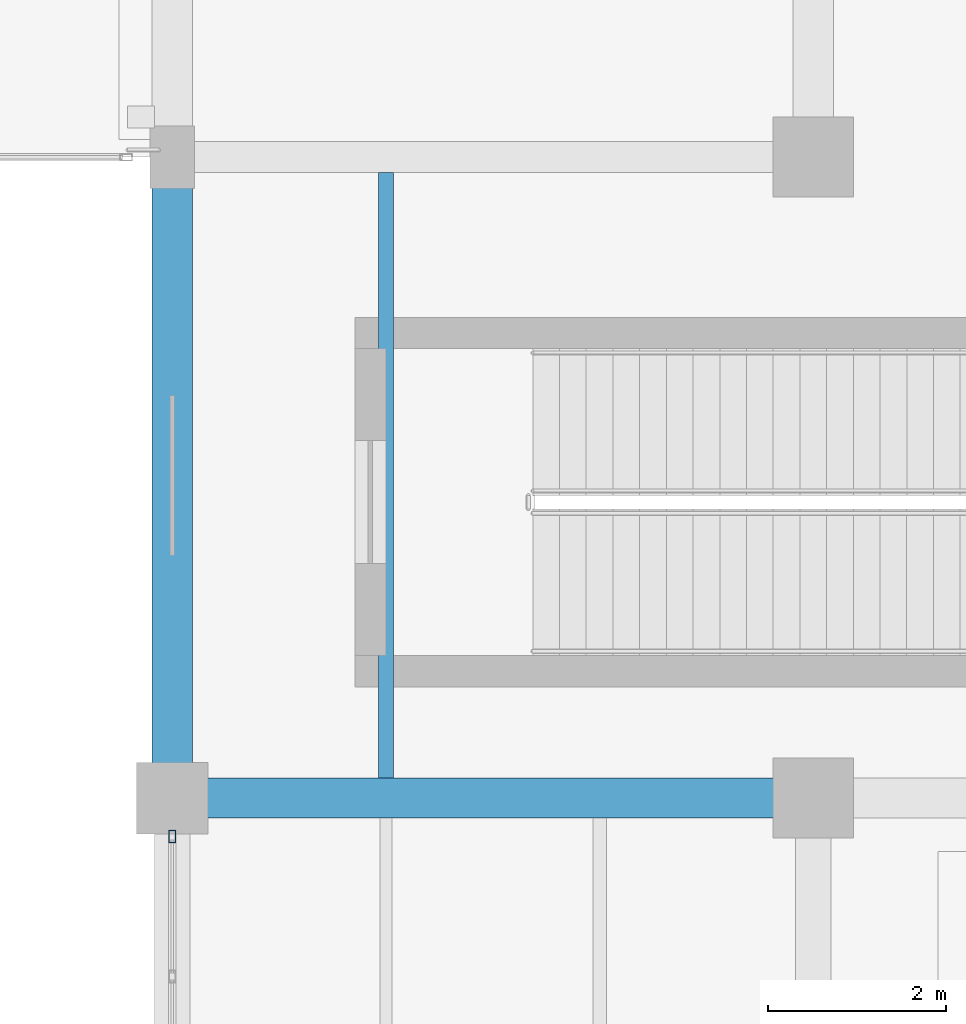
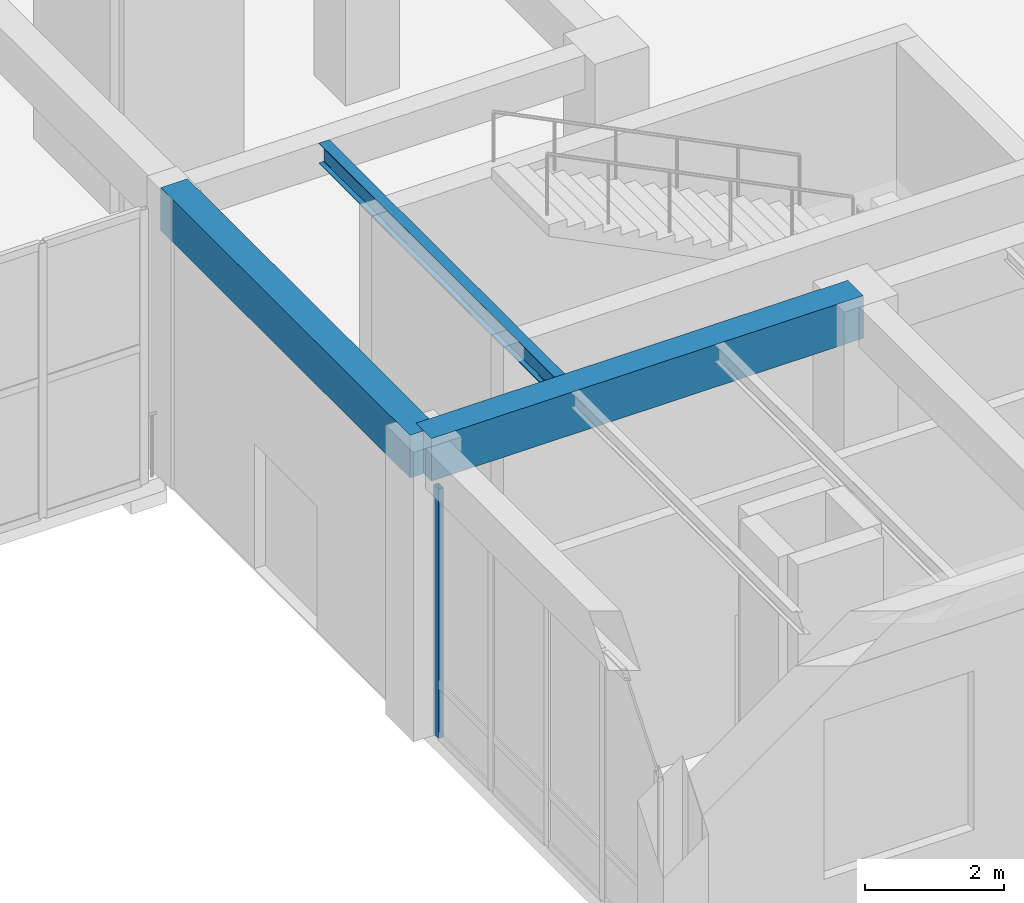
# One storey, part 46 of 169: 3 beams, 1 member, 1 element without a shape of its own.
"""IFC4 building model written with IfcOpenShell, lengths in metres."""

from ifc_helpers import new_model, si_unit, direction, frame, origin, origin_2d, place, context, subcontext, project, spatial, rectangle, hollow_rectangle, i_section, extrude, material, layer, layer_set, material_profile, profile_set, type_object, element, aggregate, save


model = new_model("IFC4")

# Units and contexts
model_context = context("Model", 3, precision=1e-05, world=origin(), true_north=direction((0.0, 1.0)))
body_context = subcontext(model_context, "Body", "Model", "MODEL_VIEW")
ifc_project = project(units=[si_unit("LENGTHUNIT", "METRE"), si_unit("AREAUNIT", "SQUARE_METRE"), si_unit("VOLUMEUNIT", "CUBIC_METRE"), si_unit("PLANEANGLEUNIT", "RADIAN"), si_unit("MASSUNIT", "GRAM", prefix="KILO")], contexts=[model_context])

# Site, building, storey
site_placement = place(None, origin())
site = spatial("IfcSite", under=ifc_project, at=site_placement, CompositionType="ELEMENT")
building_placement = place(site_placement, origin())
building = spatial("IfcBuilding", under=site, at=building_placement, Name="Mazaris Harbour Polytechnic", CompositionType="ELEMENT")
storey_placement = place(building_placement, origin())
storey = spatial("IfcBuildingStorey", under=building, at=storey_placement, Name="L00", CompositionType="ELEMENT", Elevation=0.0)

# Curtain wall, member
ifc_material_1 = material(Name="Anodised Bronze Aluminium and Low-E Glass", Category="aluminium")
ifc_layer = layer(ifc_material_1, 0.159912109375, Name="Anodised Bronze Aluminium and Low-E Glass")
ifc_layer_set = layer_set([ifc_layer], Name="Anodised Bronze Aluminium and Low-E Glass")
curtain_wall_type = type_object("IfcCurtainWallType", Name="Cloister Court Curtain Wall", PredefinedType="NOTDEFINED", material=ifc_layer_set)
curtain_wall_placement = place(storey_placement, origin())
curtain_wall = element("IfcCurtainWall", 1, at=curtain_wall_placement, inside=storey, type_object=curtain_wall_type, Name="V2 L00 Curtain Wall 41", PredefinedType="NOTDEFINED")
ifc_material_2 = material(Name="Anodised Bronze Steel S355", Category="steel")
ifc_material_profile_1 = material_profile(ifc_material_2, hollow_rectangle(XDim=0.080078125, YDim=0.139892578125, WallThickness=0.00634765625, at=origin_2d()), Name="RHS 80x140x6.3")
ifc_profile_set_1 = profile_set([ifc_material_profile_1], Name="Anodised Bronze Steel S355")
member_type = type_object("IfcMemberType", Name="Curtain Mullion RHS80x140", PredefinedType="MULLION", material=ifc_profile_set_1)
member_placement = place(storey_placement, frame((122.39990234375, 13.968017578125, 0.0), z_axis=(0.0, 0.0, 1.0), x_axis=(-1.0, 0.0, 0.0)))
member = element("IfcMember", 2, at=member_placement, type_object=member_type, Name="CW-02 mullion 5", PredefinedType="MULLION", context=body_context, shape_type="SweptSolid", body=[
    extrude(hollow_rectangle(XDim=0.080078125, YDim=0.139892578125, WallThickness=0.00634765625, at=origin_2d()), origin(), (0.0, 0.0, 1.0), 4.389892578125),
])
aggregate(curtain_wall, [member])

# Beams
ifc_material_3 = material(Name="Concrete C40/50", Category="concrete")
ifc_material_profile_2 = material_profile(ifc_material_3, rectangle(XDim=0.449951171875, YDim=0.75, at=origin_2d()), Name="RECT450x750")
ifc_profile_set_2 = profile_set([ifc_material_profile_2], Name="Concrete C40/50")
beam_type_1 = type_object("IfcBeamType", Name="RC Girder 450x750", PredefinedType="BEAM", material=ifc_profile_set_2)
beam_1_placement = place(storey_placement, frame((122.39990234375, 14.39990234375, 4.72509765625), z_axis=(1.0, 0.0, 0.0), x_axis=(0.0, 1.0, 0.0)))
element("IfcBeam", 3, at=beam_1_placement, inside=storey, type_object=beam_type_1, Name="V2 L00 Girder 428", PredefinedType="BEAM", context=body_context, shape_type="SweptSolid", body=[
    extrude(rectangle(XDim=0.449951171875, YDim=0.75, at=origin_2d()), origin(), (0.0, 0.0, 1.0), 7.2001953125),
])
ifc_material_4 = material(Name="Concrete C40/50", Category="concrete")
ifc_material_profile_3 = material_profile(ifc_material_4, rectangle(XDim=0.449951171875, YDim=0.75, at=origin_2d()), Name="RECT450x750")
ifc_profile_set_3 = profile_set([ifc_material_profile_3], Name="Concrete C40/50")
beam_type_2 = type_object("IfcBeamType", Name="RC Girder 450x750 Exterior", PredefinedType="BEAM", material=ifc_profile_set_3)
beam_2_placement = place(storey_placement, frame((122.39990234375, 14.39990234375, 4.72509765625), z_axis=(0.0, 1.0, 0.0), x_axis=(-1.0, 0.0, 0.0)))
element("IfcBeam", 4, at=beam_2_placement, inside=storey, type_object=beam_type_2, Name="V2 L00 Tie Girder 453", PredefinedType="BEAM", context=body_context, shape_type="SweptSolid", body=[
    extrude(rectangle(XDim=0.449951171875, YDim=0.75, at=origin_2d()), origin(), (0.0, 0.0, 1.0), 7.2001953125),
])
ifc_material_5 = material(Name="Steel S355", Category="steel")
ifc_material_profile_4 = material_profile(ifc_material_5, i_section(OverallWidth=0.169921875, OverallDepth=0.360107421875, WebThickness=0.008056640625, FlangeThickness=0.0126953125, FilletRadius=0.01806640625, at=origin_2d()), Name="IPE 360")
ifc_profile_set_4 = profile_set([ifc_material_profile_4], Name="Steel S355")
beam_type_3 = type_object("IfcBeamType", Name="Steel Joist IPE360", PredefinedType="JOIST", material=ifc_profile_set_4)
beam_3_placement = place(storey_placement, frame((124.800048828125, 14.625, 4.919921875), z_axis=(0.0, 1.0, 0.0), x_axis=(-1.0, 0.0, 0.0)))
element("IfcBeam", 5, at=beam_3_placement, inside=storey, type_object=beam_type_3, Name="V2 L00 Floor Joist 480", PredefinedType="JOIST", context=body_context, shape_type="SweptSolid", body=[
    extrude(i_section(OverallWidth=0.169921875, OverallDepth=0.360107421875, WebThickness=0.008056640625, FlangeThickness=0.0126953125, FilletRadius=0.01806640625, at=origin_2d()), origin(), (0.0, 0.0, 1.0), 6.800048828125),
])

save(model, "model.ifc")
